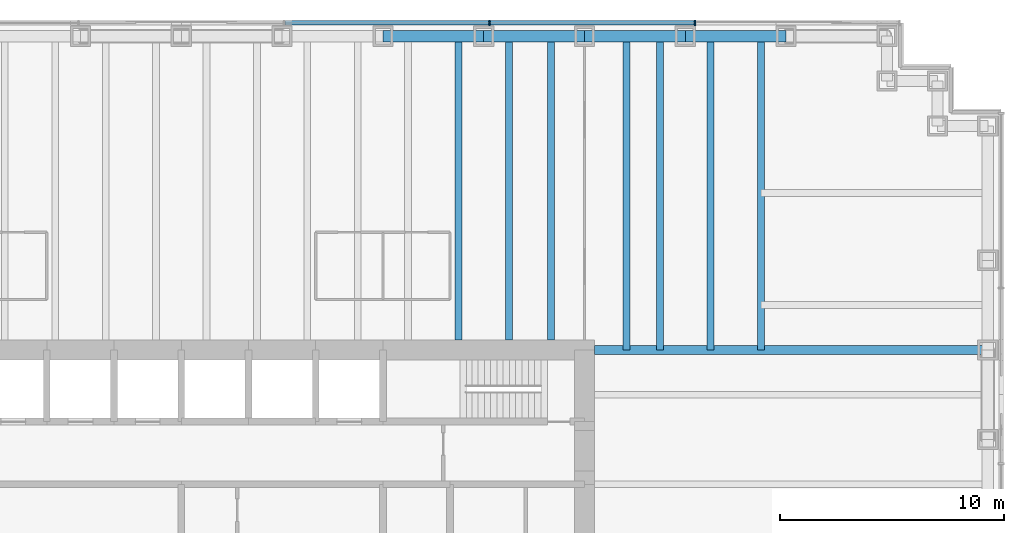
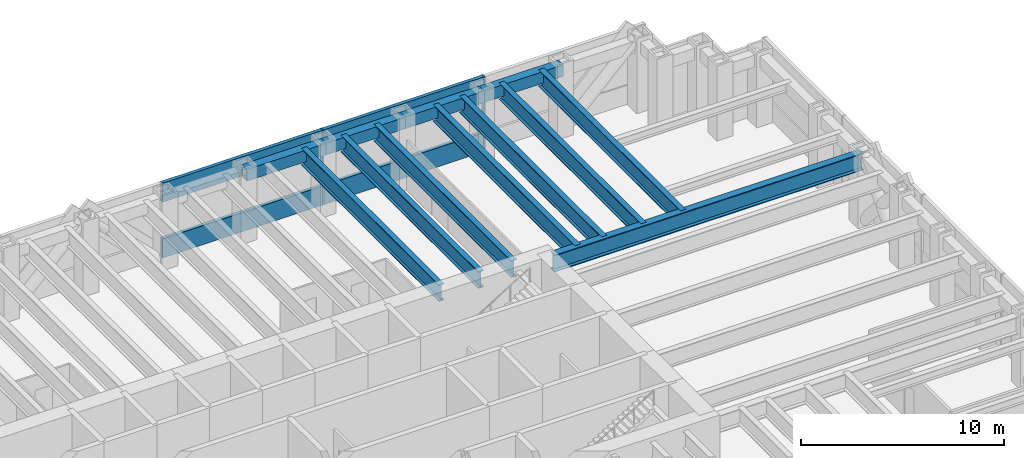
# One storey, part 6 of 13: 12 beams, 6 members, 1 element without a shape of its own.
"""IFC4 building model written with IfcOpenShell, lengths in metres."""

from ifc_helpers import new_model, si_unit, direction, frame, origin, origin_2d, place, context, subcontext, project, spatial, rectangle, hollow_rectangle, i_section, extrude, material, material_profile, profile_set, type_object, element, aggregate, save


model = new_model("IFC4")

# Units and contexts
model_context = context("Model", 3, precision=1e-05, world=origin(), true_north=direction((0.0, 1.0)))
body_context = subcontext(model_context, "Body", "Model", "MODEL_VIEW")
ifc_project = project(units=[si_unit("LENGTHUNIT", "METRE"), si_unit("AREAUNIT", "SQUARE_METRE"), si_unit("VOLUMEUNIT", "CUBIC_METRE"), si_unit("PLANEANGLEUNIT", "RADIAN"), si_unit("MASSUNIT", "GRAM", prefix="KILO")], contexts=[model_context])

# Site, building, storey
site_placement = place(None, origin())
site = spatial("IfcSite", under=ifc_project, at=site_placement, CompositionType="ELEMENT")
building_placement = place(site_placement, origin())
building = spatial("IfcBuilding", under=site, at=building_placement, Name="Rheinbord Bourse Tower", CompositionType="ELEMENT")
storey_placement = place(building_placement, frame((0.0, 0.0, 90.5)))
storey = spatial("IfcBuildingStorey", under=building, at=storey_placement, Name="L19", CompositionType="ELEMENT", Elevation=90.5)

# Beams
ifc_material_1 = material(Name="Steel S460M", Category="steel")
ifc_material_profile_1 = material_profile(ifc_material_1, hollow_rectangle(XDim=0.5, YDim=0.699951171875, WallThickness=0.0400390625, at=origin_2d()), Name="BOX 700x500x40")
ifc_profile_set_1 = profile_set([ifc_material_profile_1], Name="Steel S460M")
beam_type_1 = type_object("IfcBeamType", Name="BELT CHORD BOX 700x500x40", PredefinedType="SPANDREL", material=ifc_profile_set_1)
for number, where, z_axis, x_axis, name in (
    (1, (63.0, 46.0, 3.89990234375), (-1.0, 0.0, 0.0), (0.0, -1.0, 0.0), "Spandrel N-63-N-58.5 under L20"),
    (2, (58.5, 46.0, 3.89990234375), (-1.0, 0.0, 0.0), (0.0, -1.0, 0.0), "Spandrel N-58.5-N-54 under L20"),
    (3, (54.0, 46.0, 3.89990234375), (-1.0, 0.0, 0.0), (0.0, -1.0, 0.0), "Spandrel N-54-N-49.5 under L20"),
    (4, (49.5, 46.0, 3.89990234375), (-1.0, 0.0, 0.0), (0.0, -1.0, 0.0), "Spandrel N-49.5-N-45 under L20"),
):
    element("IfcBeam", number, at=place(storey_placement, frame(where, z_axis=z_axis, x_axis=x_axis)), inside=storey, type_object=beam_type_1, Name=name, PredefinedType="SPANDREL", context=body_context, shape_type="SweptSolid", body=[
        extrude(hollow_rectangle(XDim=0.5, YDim=0.699951171875, WallThickness=0.0400390625, at=origin_2d()), origin(), (0.0, 0.0, 1.0), 4.5),
    ])

# Curtain wall, members
ifc_material_2 = material(Name="Dark glass and black aluminium", Category="aluminium")
curtain_wall_type = type_object("IfcCurtainWallType", Name="CW5 DARK GLASS CURTAIN WALL", PredefinedType="USERDEFINED", material=ifc_material_2)
curtain_wall_placement = place(storey_placement, origin())
curtain_wall = element("IfcCurtainWall", 5, at=curtain_wall_placement, inside=storey, type_object=curtain_wall_type, Name="Curtain wall CW5 N L19", ObjectType="UNITISED CURTAIN WALL", PredefinedType="USERDEFINED")
ifc_material_3 = material(Name="Black anodised aluminium", Category="aluminium")
ifc_material_profile_2 = material_profile(ifc_material_3, rectangle(XDim=0.25, YDim=0.080078125, at=origin_2d()), Name="CW5 MULLION 80x250")
ifc_profile_set_2 = profile_set([ifc_material_profile_2], Name="Black anodised aluminium")
member_type_1 = type_object("IfcMemberType", Name="CW5 BLACK MULLION", PredefinedType="MULLION", material=ifc_profile_set_2)
member_1_placement = place(storey_placement, frame((58.928466796875, 46.60009765625, 0.0), z_axis=(0.0, 0.0, 1.0), x_axis=(0.0, -1.0, 0.0)))
member_1 = element("IfcMember", 6, at=member_1_placement, type_object=member_type_1, Name="CW5 mullion 2", PredefinedType="MULLION", context=body_context, shape_type="SweptSolid", body=[
    extrude(rectangle(XDim=0.25, YDim=0.080078125, at=origin_2d()), origin(), (0.0, 0.0, 1.0), 4.5),
])
member_2_placement = place(storey_placement, frame((49.757080078125, 46.60009765625, 0.0), z_axis=(0.0, 0.0, 1.0), x_axis=(0.0, -1.0, 0.0)))
member_2 = element("IfcMember", 7, at=member_2_placement, type_object=member_type_1, Name="CW5 mullion 3", PredefinedType="MULLION", context=body_context, shape_type="SweptSolid", body=[
    extrude(rectangle(XDim=0.25, YDim=0.080078125, at=origin_2d()), origin(), (0.0, 0.0, 1.0), 4.5),
])
ifc_material_4 = material(Name="Black anodised aluminium", Category="aluminium")
ifc_material_profile_3 = material_profile(ifc_material_4, rectangle(XDim=0.199951171875, YDim=1.14990234375, at=origin_2d()), Name="CW5 TRANSOM 1150x200")
ifc_profile_set_3 = profile_set([ifc_material_profile_3], Name="Black anodised aluminium")
member_type_2 = type_object("IfcMemberType", Name="CW5 BLACK TRANSOM", PredefinedType="USERDEFINED", material=ifc_profile_set_3)
member_3_placement = place(storey_placement, frame((58.888671875, 46.60009765625, 0.574951171875), z_axis=(-1.0, 0.0, 0.0), x_axis=(0.0, -1.0, 0.0)))
member_3 = element("IfcMember", 8, at=member_3_placement, type_object=member_type_2, Name="CW5 transom 2.1", ObjectType="TRANSOM", PredefinedType="USERDEFINED", context=body_context, shape_type="SweptSolid", body=[
    extrude(rectangle(XDim=0.199951171875, YDim=1.14990234375, at=origin_2d()), origin(), (0.0, 0.0, 1.0), 9.091552734375),
])
member_4_placement = place(storey_placement, frame((58.888671875, 46.60009765625, 3.925048828125), z_axis=(-1.0, 0.0, 0.0), x_axis=(0.0, -1.0, 0.0)))
member_4 = element("IfcMember", 9, at=member_4_placement, type_object=member_type_2, Name="CW5 transom 2.2", ObjectType="TRANSOM", PredefinedType="USERDEFINED", context=body_context, shape_type="SweptSolid", body=[
    extrude(rectangle(XDim=0.199951171875, YDim=1.14990234375, at=origin_2d()), origin(), (0.0, 0.0, 1.0), 9.091552734375),
])
member_5_placement = place(storey_placement, frame((49.717041015625, 46.60009765625, 0.574951171875), z_axis=(-1.0, 0.0, 0.0), x_axis=(0.0, -1.0, 0.0)))
member_5 = element("IfcMember", 10, at=member_5_placement, type_object=member_type_2, Name="CW5 transom 3.1", ObjectType="TRANSOM", PredefinedType="USERDEFINED", context=body_context, shape_type="SweptSolid", body=[
    extrude(rectangle(XDim=0.199951171875, YDim=1.14990234375, at=origin_2d()), origin(), (0.0, 0.0, 1.0), 9.09130859375),
])
member_6_placement = place(storey_placement, frame((49.717041015625, 46.60009765625, 3.925048828125), z_axis=(-1.0, 0.0, 0.0), x_axis=(0.0, -1.0, 0.0)))
member_6 = element("IfcMember", 11, at=member_6_placement, type_object=member_type_2, Name="CW5 transom 3.2", ObjectType="TRANSOM", PredefinedType="USERDEFINED", context=body_context, shape_type="SweptSolid", body=[
    extrude(rectangle(XDim=0.199951171875, YDim=1.14990234375, at=origin_2d()), origin(), (0.0, 0.0, 1.0), 9.09130859375),
])
aggregate(curtain_wall, [member_1, member_2, member_3, member_4, member_5, member_6])

# Beams
ifc_material_5 = material(Name="Steel S460", Category="steel")
ifc_material_profile_4 = material_profile(ifc_material_5, i_section(OverallWidth=0.302001953125, OverallDepth=1.008056640625, WebThickness=0.02099609375, FlangeThickness=0.0400390625, at=origin_2d()), Name="HEM 1000")
ifc_profile_set_4 = profile_set([ifc_material_profile_4], Name="Steel S460")
beam_type_2 = type_object("IfcBeamType", Name="FLOOR BEAM HEM 1000", PredefinedType="BEAM", material=ifc_profile_set_4)
for number, where, z_axis, x_axis, name in (
    (12, (48.375, 46.0, 3.74609375), (0.0, -1.0, 0.0), (1.0, 0.0, 0.0), "Floor beam N-45b L20"),
    (13, (50.625, 46.0, 3.74609375), (0.0, -1.0, 0.0), (1.0, 0.0, 0.0), "Floor beam N-49.5a L20"),
    (14, (52.5, 46.0, 3.74609375), (0.0, -1.0, 0.0), (1.0, 0.0, 0.0), "Floor beam N-49.5b L20"),
):
    element("IfcBeam", number, at=place(storey_placement, frame(where, z_axis=z_axis, x_axis=x_axis)), inside=storey, type_object=beam_type_2, Name=name, PredefinedType="BEAM", context=body_context, shape_type="SweptSolid", body=[
        extrude(i_section(OverallWidth=0.302001953125, OverallDepth=1.008056640625, WebThickness=0.02099609375, FlangeThickness=0.0400390625, at=origin_2d()), origin(), (0.0, 0.0, 1.0), 13.550048828125),
    ])
for number, where, z_axis, x_axis, name in (
    (15, (55.875, 46.0, 3.74609375), (0.0, -1.0, 0.0), (1.0, 0.0, 0.0), "Floor beam N-54a L20"),
    (16, (57.375, 46.0, 3.74609375), (0.0, -1.0, 0.0), (1.0, 0.0, 0.0), "Floor beam N-54b L20"),
    (17, (59.625, 46.0, 3.74609375), (0.0, -1.0, 0.0), (1.0, 0.0, 0.0), "Floor beam N-58.5a L20"),
    (18, (61.875, 46.0, 3.74609375), (0.0, -1.0, 0.0), (1.0, 0.0, 0.0), "Floor beam N-58.5b L20"),
):
    element("IfcBeam", number, at=place(storey_placement, frame(where, z_axis=z_axis, x_axis=x_axis)), inside=storey, type_object=beam_type_2, Name=name, PredefinedType="BEAM", context=body_context, shape_type="SweptSolid", body=[
        extrude(i_section(OverallWidth=0.302001953125, OverallDepth=1.008056640625, WebThickness=0.02099609375, FlangeThickness=0.0400390625, at=origin_2d()), origin(), (0.0, 0.0, 1.0), 14.0),
    ])
ifc_material_6 = material(Name="Steel S460", Category="steel")
ifc_material_profile_5 = material_profile(ifc_material_6, i_section(OverallWidth=0.404052734375, OverallDepth=1.02001953125, WebThickness=0.025390625, FlangeThickness=0.0458984375, at=origin_2d()), Name="HL 1000 x 483")
ifc_profile_set_5 = profile_set([ifc_material_profile_5], Name="Steel S460")
beam_type_3 = type_object("IfcBeamType", Name="GIRDER HL 1000 x 483", PredefinedType="BEAM", material=ifc_profile_set_5)
beam_placement = place(storey_placement, frame((54.449951171875, 32.0, 3.739990234375), z_axis=(1.0, 0.0, 0.0), x_axis=(0.0, 1.0, 0.0)))
element("IfcBeam", 19, at=beam_placement, inside=storey, type_object=beam_type_3, Name="Girder east 32 L20", PredefinedType="BEAM", context=body_context, shape_type="SweptSolid", body=[
    extrude(i_section(OverallWidth=0.404052734375, OverallDepth=1.02001953125, WebThickness=0.025390625, FlangeThickness=0.0458984375, at=origin_2d()), origin(), (0.0, 0.0, 1.0), 17.550048828125),
])

save(model, "model.ifc")
